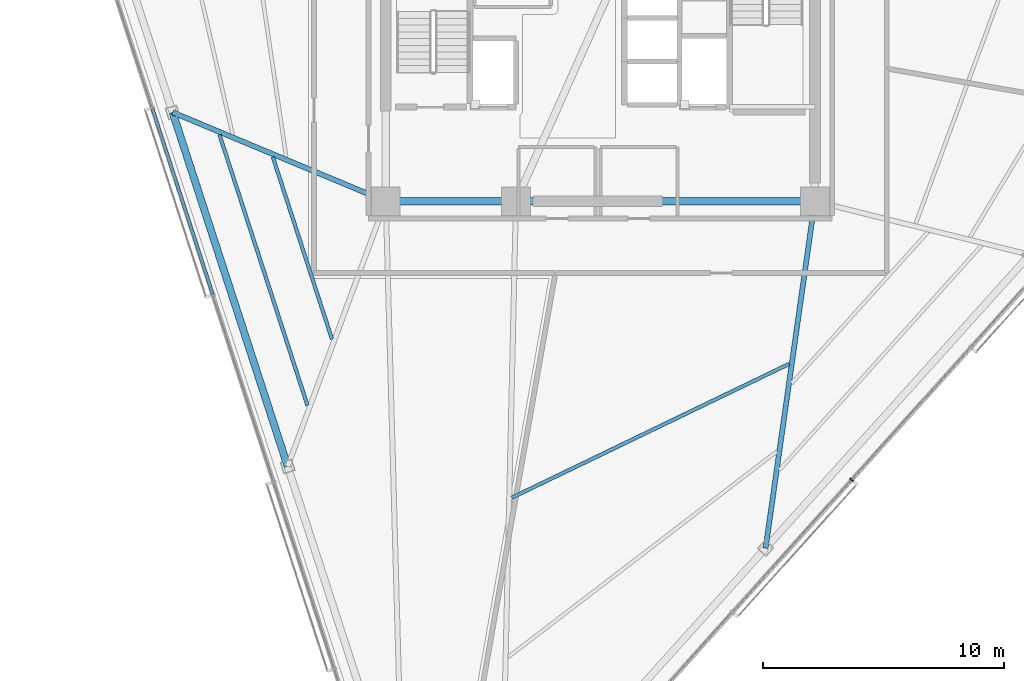
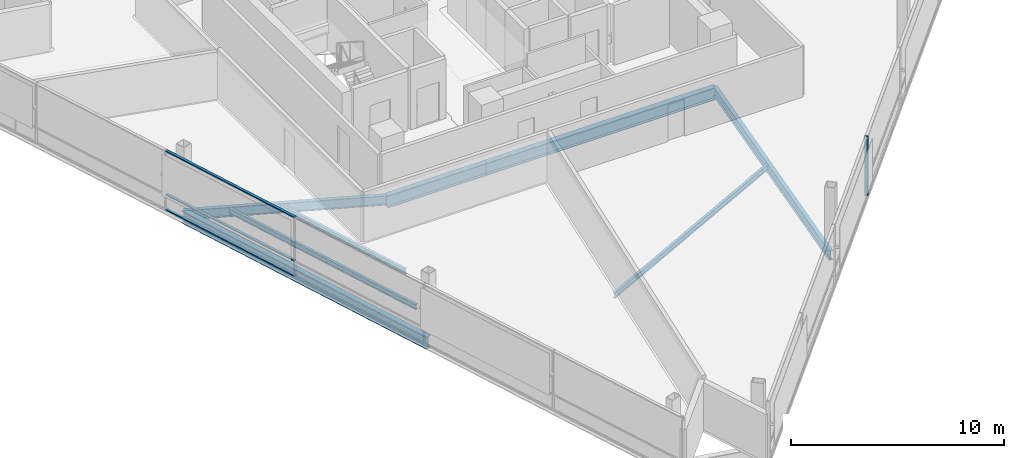
# One storey, part 3 of 16: 8 beams, 4 members, 2 elements without a shape of their own.
"""IFC4 building model written with IfcOpenShell, lengths in metres."""

from ifc_helpers import new_model, si_unit, direction, frame, origin, origin_2d, place, context, subcontext, project, spatial, rectangle, i_section, extrude, material, layer, layer_set, material_profile, profile_set, type_object, element, aggregate, save


model = new_model("IFC4")

# Units and contexts
model_context = context("Model", 3, precision=1e-05, world=origin(), true_north=direction((0.0, 1.0)))
body_context = subcontext(model_context, "Body", "Model", "MODEL_VIEW")
ifc_project = project(units=[si_unit("LENGTHUNIT", "METRE"), si_unit("AREAUNIT", "SQUARE_METRE"), si_unit("VOLUMEUNIT", "CUBIC_METRE"), si_unit("PLANEANGLEUNIT", "RADIAN"), si_unit("MASSUNIT", "GRAM", prefix="KILO")], contexts=[model_context])

# Site, building, storey
site_placement = place(None, origin())
site = spatial("IfcSite", under=ifc_project, at=site_placement, CompositionType="ELEMENT")
building_placement = place(site_placement, origin())
building = spatial("IfcBuilding", under=site, at=building_placement, Name="Tharavind Bronze Gate", CompositionType="ELEMENT")
storey_placement = place(building_placement, frame((0.0, 0.0, 211.25)))
storey = spatial("IfcBuildingStorey", under=building, at=storey_placement, Name="L54", CompositionType="ELEMENT", Elevation=211.25)

# Curtain wall, member
ifc_material_1 = material(Name="Anodised Bronze Aluminium", Category="aluminium")
ifc_layer = layer(ifc_material_1, 0.219970703125)
ifc_layer_set = layer_set([ifc_layer], Name="Anodised Bronze Aluminium")
curtain_wall_type = type_object("IfcCurtainWallType", Name="UNITISED CURTAIN WALL MID OFFICE", PredefinedType="USERDEFINED", material=ifc_layer_set)
curtain_wall_1_placement = place(storey_placement, origin())
curtain_wall_1 = element("IfcCurtainWall", 1, at=curtain_wall_1_placement, inside=storey, type_object=curtain_wall_type, Name="L54 unitised curtain wall mid office CW-L54-S2", ObjectType="UNITISED CURTAIN WALL", PredefinedType="USERDEFINED")
member_type_1 = type_object("IfcMemberType", Name="CURTAIN WALL BRONZE MULLION 65X180", PredefinedType="MULLION", material=ifc_material_1)
member_1_placement = place(storey_placement, frame((10.42138671875, -19.1552734375, 0.0), z_axis=(0.0, 0.0, 1.0), x_axis=(0.669130606359, 0.743144825477, 0.0)))
member_1 = element("IfcMember", 2, at=member_1_placement, type_object=member_type_1, Name="CW-L54-S2 mullion 4", PredefinedType="MULLION", context=body_context, shape_type="SweptSolid", body=[
    extrude(rectangle(XDim=0.06494140625, YDim=0.179931640625, at=origin_2d()), origin(), (0.0, 0.0, 1.0), 3.419921875),
])
aggregate(curtain_wall_1, [member_1])

# Curtain wall, members
curtain_wall_2_placement = place(storey_placement, origin())
curtain_wall_2 = element("IfcCurtainWall", 3, at=curtain_wall_2_placement, inside=storey, type_object=curtain_wall_type, Name="L54 unitised curtain wall mid office CW-L54-S1", ObjectType="UNITISED CURTAIN WALL", PredefinedType="USERDEFINED")
member_type_2 = type_object("IfcMemberType", Name="CURTAIN WALL BRONZE TRANSOM 65X140", PredefinedType="USERDEFINED", material=ifc_material_1)
member_2_placement = place(storey_placement, frame((-17.32958984375, -7.61083984375, 0.0), z_axis=(0.0, 0.0, 1.0), x_axis=(0.309016994375, -0.951056516295, 0.0)))
member_2 = element("IfcMember", 4, at=member_2_placement, type_object=member_type_2, Name="CW-L54-S1 transom TB3", ObjectType="TRANSOM", PredefinedType="USERDEFINED", context=body_context, shape_type="SweptSolid", body=[
    extrude(rectangle(XDim=8.102783203125, YDim=0.139892578125, at=origin_2d()), origin(), (0.0, 0.0, 1.0), 0.06494140625),
])
member_3_placement = place(storey_placement, frame((-17.32958984375, -7.61083984375, 0.867431640625), z_axis=(0.0, 0.0, 1.0), x_axis=(0.309016994375, -0.951056516295, 0.0)))
member_3 = element("IfcMember", 5, at=member_3_placement, type_object=member_type_2, Name="CW-L54-S1 transom TS3", ObjectType="TRANSOM", PredefinedType="USERDEFINED", context=body_context, shape_type="SweptSolid", body=[
    extrude(rectangle(XDim=8.102783203125, YDim=0.139892578125, at=origin_2d()), origin(), (0.0, 0.0, 1.0), 0.06494140625),
])
member_4_placement = place(storey_placement, frame((-17.32958984375, -7.61083984375, 3.35498046875), z_axis=(0.0, 0.0, 1.0), x_axis=(0.309016994375, -0.951056516295, 0.0)))
member_4 = element("IfcMember", 6, at=member_4_placement, type_object=member_type_2, Name="CW-L54-S1 transom TT3", ObjectType="TRANSOM", PredefinedType="USERDEFINED", context=body_context, shape_type="SweptSolid", body=[
    extrude(rectangle(XDim=8.102783203125, YDim=0.139892578125, at=origin_2d()), origin(), (0.0, 0.0, 1.0), 0.06494140625),
])
aggregate(curtain_wall_2, [member_2, member_3, member_4])

# Beams
ifc_material_2 = material(Name="Steel S355", Category="steel")
ifc_material_profile_1 = material_profile(ifc_material_2, i_section(OverallWidth=0.2099609375, OverallDepth=0.550048828125, WebThickness=0.010986328125, FlangeThickness=0.01708984375, at=origin_2d()), Name="IPE550")
ifc_profile_set_1 = profile_set([ifc_material_profile_1], Name="Steel S355")
beam_type_1 = type_object("IfcBeamType", Name="PRIMARY GIRDER IPE550", PredefinedType="USERDEFINED", material=ifc_profile_set_1)
beam_1_placement = place(storey_placement, frame((-17.74267578125, -3.91259765625, -0.455078125), z_axis=(0.922965305367, -0.38488315771, 0.0), x_axis=(0.38488315771, 0.922965305367, 0.0)))
element("IfcBeam", 7, at=beam_1_placement, inside=storey, type_object=beam_type_1, Name="L54 primary girder ipe550 BM-L54-RAD02", ObjectType="GIRDER", PredefinedType="USERDEFINED", context=body_context, shape_type="SweptSolid", body=[
    extrude(i_section(OverallWidth=0.2099609375, OverallDepth=0.550048828125, WebThickness=0.010986328125, FlangeThickness=0.01708984375, at=origin_2d()), origin(), (0.0, 0.0, 1.0), 9.580810546875),
])
beam_2_placement = place(storey_placement, frame((6.857421875, -21.992431640625, -0.455078125), z_axis=(0.140506642307, 0.990079735914, 0.0), x_axis=(-0.990079735914, 0.140506642307, 0.0)))
element("IfcBeam", 8, at=beam_2_placement, inside=storey, type_object=beam_type_1, Name="L54 primary girder ipe550 BM-L54-RAD06", ObjectType="GIRDER", PredefinedType="USERDEFINED", context=body_context, shape_type="SweptSolid", body=[
    extrude(i_section(OverallWidth=0.2099609375, OverallDepth=0.550048828125, WebThickness=0.010986328125, FlangeThickness=0.01708984375, at=origin_2d()), origin(), (0.0, 0.0, 1.0), 14.53662109375),
])
ifc_material_profile_2 = material_profile(ifc_material_2, i_section(OverallWidth=0.300048828125, OverallDepth=0.699951171875, WebThickness=0.01708984375, FlangeThickness=0.031982421875, at=origin_2d()), Name="HE700B")
ifc_profile_set_2 = profile_set([ifc_material_profile_2], Name="Steel S355")
beam_type_2 = type_object("IfcBeamType", Name="RING GIRDER HE700B", PredefinedType="USERDEFINED", material=ifc_profile_set_2)
beam_3_placement = place(storey_placement, frame((-8.89990234375, -7.60009765625, -0.530029296875), z_axis=(1.0, 0.0, 0.0), x_axis=(0.0, 1.0, 0.0)))
element("IfcBeam", 9, at=beam_3_placement, inside=storey, type_object=beam_type_2, Name="L54 ring girder he700b BM-L54-CR1", ObjectType="GIRDER", PredefinedType="USERDEFINED", context=body_context, shape_type="SweptSolid", body=[
    extrude(i_section(OverallWidth=0.300048828125, OverallDepth=0.699951171875, WebThickness=0.01708984375, FlangeThickness=0.031982421875, at=origin_2d()), origin(), (0.0, 0.0, 1.0), 5.39990234375),
])
beam_4_placement = place(storey_placement, frame((-3.5, -7.60009765625, -0.530029296875), z_axis=(1.0, 0.0, 0.0), x_axis=(0.0, 1.0, 0.0)))
element("IfcBeam", 10, at=beam_4_placement, inside=storey, type_object=beam_type_2, Name="L54 ring girder he700b BM-L54-CR2", ObjectType="GIRDER", PredefinedType="USERDEFINED", context=body_context, shape_type="SweptSolid", body=[
    extrude(i_section(OverallWidth=0.300048828125, OverallDepth=0.699951171875, WebThickness=0.01708984375, FlangeThickness=0.031982421875, at=origin_2d()), origin(), (0.0, 0.0, 1.0), 12.39990234375),
])
beam_5_placement = place(storey_placement, frame((-17.74267578125, -3.91259765625, -0.530029296875), z_axis=(0.309020307293, -0.951055439857, 0.0), x_axis=(0.951055439857, 0.309020307293, 0.0)))
element("IfcBeam", 11, at=beam_5_placement, inside=storey, type_object=beam_type_2, Name="L54 ring girder he700b BM-L54-PRG02", ObjectType="GIRDER", PredefinedType="USERDEFINED", context=body_context, shape_type="SweptSolid", body=[
    extrude(i_section(OverallWidth=0.300048828125, OverallDepth=0.699951171875, WebThickness=0.01708984375, FlangeThickness=0.031982421875, at=origin_2d()), origin(), (0.0, 0.0, 1.0), 15.4453125),
])
ifc_material_profile_3 = material_profile(ifc_material_2, i_section(OverallWidth=0.14990234375, OverallDepth=0.300048828125, WebThickness=0.007080078125, FlangeThickness=0.0107421875, at=origin_2d()), Name="IPE300")
ifc_profile_set_3 = profile_set([ifc_material_profile_3], Name="Steel S355")
beam_type_3 = type_object("IfcBeamType", Name="SECONDARY FLOOR JOIST IPE300", PredefinedType="JOIST", material=ifc_profile_set_3)
beam_6_placement = place(storey_placement, frame((-13.5869140625, -5.7626953125, -0.330078125), z_axis=(0.309039532328, -0.951049192975, 0.0), x_axis=(0.951049192975, 0.309039532328, 0.0)))
element("IfcBeam", 12, at=beam_6_placement, inside=storey, type_object=beam_type_3, Name="L54 secondary floor joist ipe300 BM-L54-JSTA02", PredefinedType="JOIST", context=body_context, shape_type="SweptSolid", body=[
    extrude(i_section(OverallWidth=0.14990234375, OverallDepth=0.300048828125, WebThickness=0.007080078125, FlangeThickness=0.0107421875, at=origin_2d()), origin(), (0.0, 0.0, 1.0), 7.947265625),
])
beam_7_placement = place(storey_placement, frame((-15.79736328125, -4.8408203125, -0.330078125), z_axis=(0.309005195331, -0.951060349956, 0.0), x_axis=(0.951060349956, 0.309005195331, 0.0)))
element("IfcBeam", 13, at=beam_7_placement, inside=storey, type_object=beam_type_3, Name="L54 secondary floor joist ipe300 BM-L54-JSTB02", PredefinedType="JOIST", context=body_context, shape_type="SweptSolid", body=[
    extrude(i_section(OverallWidth=0.14990234375, OverallDepth=0.300048828125, WebThickness=0.007080078125, FlangeThickness=0.0107421875, at=origin_2d()), origin(), (0.0, 0.0, 1.0), 11.80859375),
])
beam_8_placement = place(storey_placement, frame((-3.66943359375, -19.8984375, -0.330078125), z_axis=(0.900657941829, 0.434528792855, 0.0), x_axis=(-0.434528792855, 0.900657941829, 0.0)))
element("IfcBeam", 14, at=beam_8_placement, inside=storey, type_object=beam_type_3, Name="L54 secondary floor joist ipe300 BM-L54-JSTA05", PredefinedType="JOIST", context=body_context, shape_type="SweptSolid", body=[
    extrude(i_section(OverallWidth=0.14990234375, OverallDepth=0.300048828125, WebThickness=0.007080078125, FlangeThickness=0.0107421875, at=origin_2d()), origin(), (0.0, 0.0, 1.0), 12.77099609375),
])

save(model, "model.ifc")
